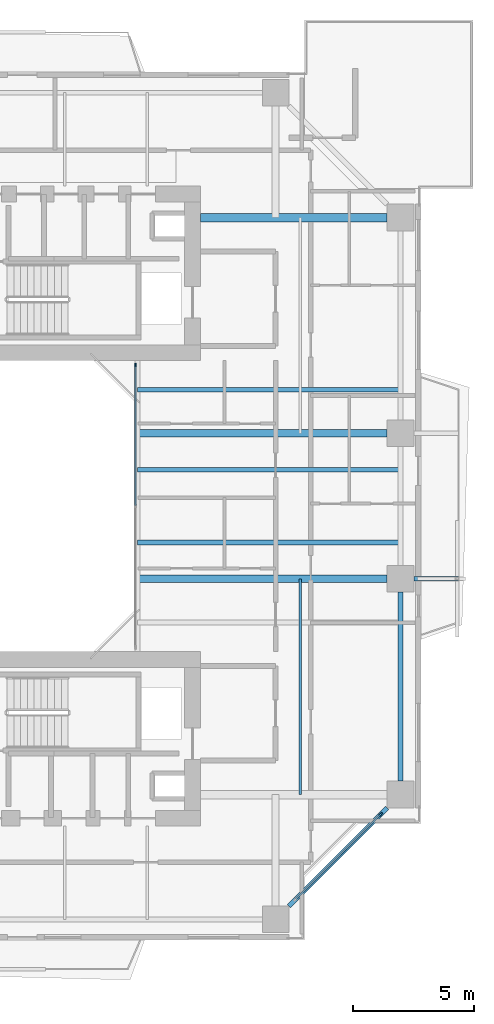
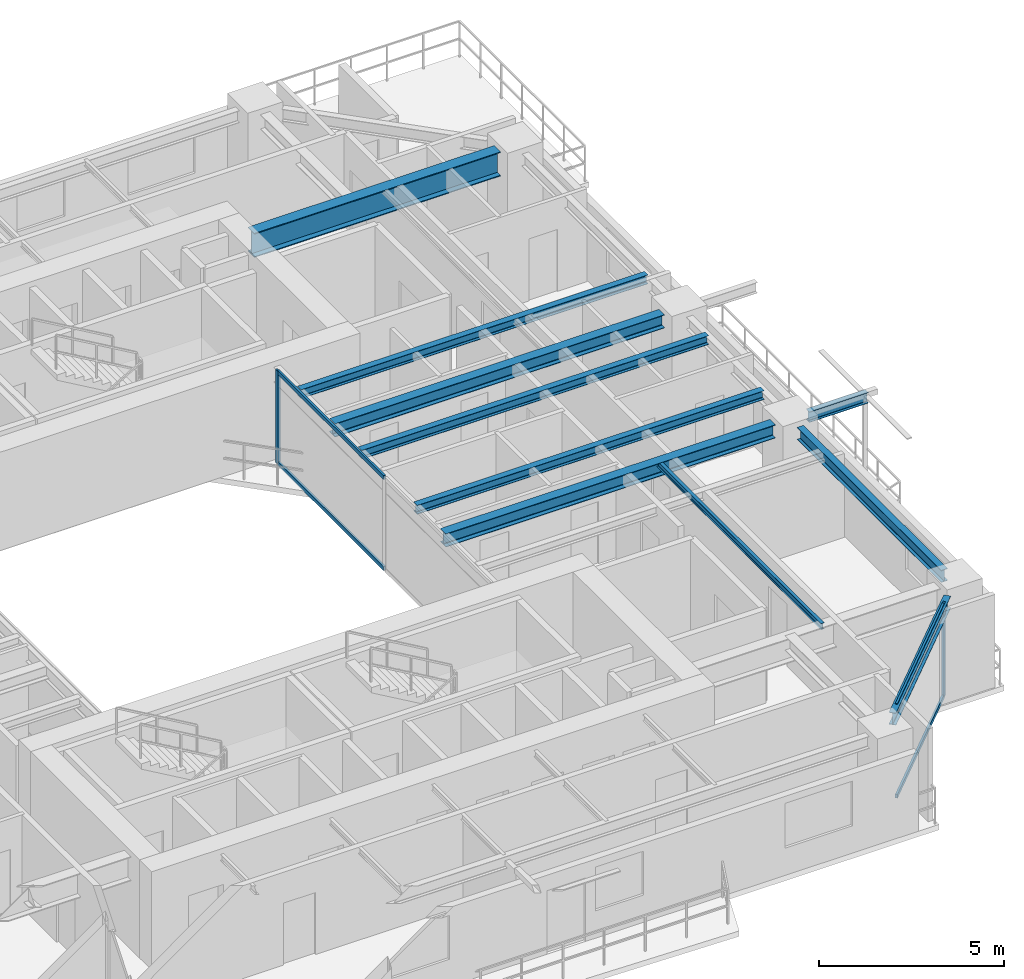
# One storey, part 6 of 17: 10 beams, 6 members, 2 elements without a shape of their own.
"""IFC4 building model written with IfcOpenShell, lengths in metres."""

from ifc_helpers import new_model, si_unit, direction, frame, origin, origin_2d, place, context, subcontext, project, spatial, rectangle, i_section, extrude, source, transform, mapped, material, layer, layer_set, material_profile, profile_set, type_object, element, aggregate, save


model = new_model("IFC4")

# Units and contexts
model_context = context("Model", 3, precision=1e-05, world=origin(), true_north=direction((0.0, 1.0)))
body_context = subcontext(model_context, "Body", "Model", "MODEL_VIEW")
ifc_project = project(units=[si_unit("LENGTHUNIT", "METRE"), si_unit("AREAUNIT", "SQUARE_METRE"), si_unit("VOLUMEUNIT", "CUBIC_METRE"), si_unit("PLANEANGLEUNIT", "RADIAN"), si_unit("MASSUNIT", "GRAM", prefix="KILO"), si_unit("THERMODYNAMICTEMPERATUREUNIT", "KELVIN"), si_unit("POWERUNIT", "WATT")], contexts=[model_context])

# Site, building, storey
site_placement = place(None, origin())
site = spatial("IfcSite", under=ifc_project, at=site_placement, CompositionType="ELEMENT")
building_placement = place(site_placement, origin())
building = spatial("IfcBuilding", under=site, at=building_placement, Name="Qiaomeng Ring Towers", CompositionType="ELEMENT")
storey_placement = place(building_placement, frame((0.0, 0.0, 123.0)))
storey = spatial("IfcBuildingStorey", under=building, at=storey_placement, Name="L35", CompositionType="ELEMENT", Elevation=123.0)

# Beams
ifc_material_1 = material(Name="Steel Q355B", Category="steel")
ifc_material_profile_1 = material_profile(ifc_material_1, i_section(OverallWidth=0.199951171875, OverallDepth=0.39990234375, WebThickness=0.008056640625, FlangeThickness=0.012939453125, FilletRadius=0.01611328125, at=origin_2d()), Name="HN 400x200x8x13")
ifc_profile_set_1 = profile_set([ifc_material_profile_1], Name="Steel Q355B")
beam_type_1 = type_object("IfcBeamType", Name="STR-BM-HN400", PredefinedType="SPANDREL", material=ifc_profile_set_1)
shared_shape_1 = source(origin(), body_context, "Body", "SweptSolid", [
    extrude(i_section(OverallWidth=0.199951171875, OverallDepth=0.39990234375, WebThickness=0.008056640625, FlangeThickness=0.012939453125, FilletRadius=0.01611328125, at=origin_2d()), origin(), (0.0, 0.0, 1.0), 5.729736328125),
])
beam_1_placement = place(storey_placement, frame((31.44921875, 6.499267578125, 2.8701171875), z_axis=(0.707106781187, 0.707106781187, 0.0), x_axis=(-0.707106781187, 0.707106781187, 0.0)))
element("IfcBeam", 1, at=beam_1_placement, inside=storey, type_object=beam_type_1, Name="L35 beam STR-SP-L35-T1-S2-E1", PredefinedType="SPANDREL", context=body_context, shape_type="MappedRepresentation", body=[
    mapped(shared_shape_1, transform((0.0, 0.0, 0.0), x_axis=(1.0, 0.0, 0.0), y_axis=(0.0, 1.0, 0.0), z_axis=(0.0, 0.0, 1.0), scale=1.0)),
])
shared_shape_2 = source(origin(), body_context, "Body", "SweptSolid", [
    extrude(i_section(OverallWidth=0.199951171875, OverallDepth=0.39990234375, WebThickness=0.008056640625, FlangeThickness=0.012939453125, FilletRadius=0.01611328125, at=origin_2d()), origin(), (0.0, 0.0, 1.0), 7.802001953125),
])
beam_2_placement = place(storey_placement, frame((36.050048828125, 11.64892578125, 2.8701171875), z_axis=(0.0, 1.0, 0.0), x_axis=(-1.0, 0.0, 0.0)))
element("IfcBeam", 2, at=beam_2_placement, inside=storey, type_object=beam_type_1, Name="L35 beam STR-SP-L35-T1-E1-E2", PredefinedType="SPANDREL", context=body_context, shape_type="MappedRepresentation", body=[
    mapped(shared_shape_2, transform((0.0, 0.0, 0.0), x_axis=(1.0, 0.0, 0.0), y_axis=(0.0, 1.0, 0.0), z_axis=(0.0, 0.0, 1.0), scale=1.0)),
])
ifc_material_2 = material(Name="Steel Q390GJC", Category="steel")
ifc_material_profile_2 = material_profile(ifc_material_2, i_section(OverallWidth=0.35009765625, OverallDepth=0.800048828125, WebThickness=0.01611328125, FlangeThickness=0.028076171875, at=origin_2d()), Name="WH 800x350x16x28")
ifc_profile_set_2 = profile_set([ifc_material_profile_2], Name="Steel Q390GJC")
beam_type_2 = type_object("IfcBeamType", Name="STR-BM-WH800", PredefinedType="BEAM", material=ifc_profile_set_2)
shared_shape_3 = source(origin(), body_context, "Body", "SweptSolid", [
    extrude(i_section(OverallWidth=0.35009765625, OverallDepth=0.800048828125, WebThickness=0.01611328125, FlangeThickness=0.028076171875, at=origin_2d()), origin(), (0.0, 0.0, 1.0), 7.700927734375),
])
beam_3_placement = place(storey_placement, frame((27.800048828125, 34.89990234375, 2.669921875), z_axis=(1.0, 0.0, 0.0), x_axis=(0.0, 1.0, 0.0)))
element("IfcBeam", 3, at=beam_3_placement, inside=storey, type_object=beam_type_2, Name="L35 beam STR-BM-L35-T1-RAD-E4", PredefinedType="BEAM", context=body_context, shape_type="MappedRepresentation", body=[
    mapped(shared_shape_3, transform((0.0, 0.0, 0.0), x_axis=(1.0, 0.0, 0.0), y_axis=(0.0, 1.0, 0.0), z_axis=(0.0, 0.0, 1.0), scale=1.0)),
])
ifc_material_profile_3 = material_profile(ifc_material_1, i_section(OverallWidth=0.300048828125, OverallDepth=0.43994140625, WebThickness=0.010986328125, FlangeThickness=0.01806640625, FilletRadius=0.02392578125, at=origin_2d()), Name="HM 440x300x11x18")
ifc_profile_set_3 = profile_set([ifc_material_profile_3], Name="Steel Q355B")
beam_type_3 = type_object("IfcBeamType", Name="STR-BM-HM440", PredefinedType="BEAM", material=ifc_profile_set_3)
shared_shape_4 = source(origin(), body_context, "Body", "SweptSolid", [
    extrude(i_section(OverallWidth=0.300048828125, OverallDepth=0.43994140625, WebThickness=0.010986328125, FlangeThickness=0.01806640625, FilletRadius=0.02392578125, at=origin_2d()), origin(), (0.0, 0.0, 1.0), 10.301025390625),
])
for number, where, z_axis, x_axis, name in (
    (4, (25.199951171875, 20.0, 2.85009765625), (1.0, 0.0, 0.0), (0.0, 1.0, 0.0), "L35 beam STR-BM-L35-T1-RAD-E2"),
    (5, (25.199951171875, 26.0, 2.85009765625), (1.0, 0.0, 0.0), (0.0, 1.0, 0.0), "L35 beam STR-BM-L35-T1-RAD-E3"),
):
    element("IfcBeam", number, at=place(storey_placement, frame(where, z_axis=z_axis, x_axis=x_axis)), inside=storey, type_object=beam_type_3, Name=name, PredefinedType="BEAM", context=body_context, shape_type="MappedRepresentation", body=[
        mapped(shared_shape_4, transform((0.0, 0.0, 0.0), x_axis=(1.0, 0.0, 0.0), y_axis=(0.0, 1.0, 0.0), z_axis=(0.0, 0.0, 1.0), scale=1.0)),
    ])
ifc_material_profile_4 = material_profile(ifc_material_1, i_section(OverallWidth=0.175048828125, OverallDepth=0.35009765625, WebThickness=0.007080078125, FlangeThickness=0.010986328125, FilletRadius=0.013916015625, at=origin_2d()), Name="HN 350x175x7x11")
ifc_profile_set_4 = profile_set([ifc_material_profile_4], Name="Steel Q355B")
beam_type_4 = type_object("IfcBeamType", Name="STR-BM-HN350", PredefinedType="JOIST", material=ifc_profile_set_4)
shared_shape_5 = source(origin(), body_context, "Body", "SweptSolid", [
    extrude(i_section(OverallWidth=0.175048828125, OverallDepth=0.35009765625, WebThickness=0.007080078125, FlangeThickness=0.010986328125, FilletRadius=0.013916015625, at=origin_2d()), origin(), (0.0, 0.0, 1.0), 1.8408203125),
])
beam_4_placement = place(storey_placement, frame((36.59912109375, 20.0, 2.89501953125), z_axis=(1.0, 0.0, 0.0), x_axis=(0.0, 1.0, 0.0)))
element("IfcBeam", 6, at=beam_4_placement, inside=storey, type_object=beam_type_4, Name="L35 beam STR-BALBM-L35-E2", PredefinedType="JOIST", context=body_context, shape_type="MappedRepresentation", body=[
    mapped(shared_shape_5, transform((0.0, 0.0, 0.0), x_axis=(1.0, 0.0, 0.0), y_axis=(0.0, 1.0, 0.0), z_axis=(0.0, 0.0, 1.0), scale=1.0)),
])
ifc_material_profile_5 = material_profile(ifc_material_1, i_section(OverallWidth=0.199951171875, OverallDepth=0.2939453125, WebThickness=0.008056640625, FlangeThickness=0.011962890625, FilletRadius=0.01806640625, at=origin_2d()), Name="HM 294x200x8x12")
ifc_profile_set_5 = profile_set([ifc_material_profile_5], Name="Steel Q355B")
beam_type_5 = type_object("IfcBeamType", Name="STR-BM-HM294", PredefinedType="JOIST", material=ifc_profile_set_5)
shared_shape_6 = source(origin(), body_context, "Body", "SweptSolid", [
    extrude(i_section(OverallWidth=0.199951171875, OverallDepth=0.2939453125, WebThickness=0.008056640625, FlangeThickness=0.011962890625, FilletRadius=0.01806640625, at=origin_2d()), origin(), (0.0, 0.0, 1.0), 10.85009765625),
])
for number, where, z_axis, x_axis, name in (
    (7, (25.199951171875, 21.5, 2.923095703125), (1.0, 0.0, 0.0), (0.0, 1.0, 0.0), "L35 beam STR-JST-L35-T1E-2"),
    (8, (25.199951171875, 24.5, 2.923095703125), (1.0, 0.0, 0.0), (0.0, 1.0, 0.0), "L35 beam STR-JST-L35-T1E-3"),
    (9, (25.199951171875, 27.800048828125, 2.923095703125), (1.0, 0.0, 0.0), (0.0, 1.0, 0.0), "L35 beam STR-JST-L35-T1E-4"),
):
    element("IfcBeam", number, at=place(storey_placement, frame(where, z_axis=z_axis, x_axis=x_axis)), inside=storey, type_object=beam_type_5, Name=name, PredefinedType="JOIST", context=body_context, shape_type="MappedRepresentation", body=[
        mapped(shared_shape_6, transform((0.0, 0.0, 0.0), x_axis=(1.0, 0.0, 0.0), y_axis=(0.0, 1.0, 0.0), z_axis=(0.0, 0.0, 1.0), scale=1.0)),
    ])
ifc_material_profile_6 = material_profile(ifc_material_1, i_section(OverallWidth=0.10009765625, OverallDepth=0.199951171875, WebThickness=0.005615234375, FlangeThickness=0.008056640625, FilletRadius=0.010986328125, at=origin_2d()), Name="HN 200x100x5.5x8")
ifc_profile_set_6 = profile_set([ifc_material_profile_6], Name="Steel Q355B")
beam_type_6 = type_object("IfcBeamType", Name="STR-BM-HN200", PredefinedType="JOIST", material=ifc_profile_set_6)
shared_shape_7 = source(origin(), body_context, "Body", "SweptSolid", [
    extrude(i_section(OverallWidth=0.10009765625, OverallDepth=0.199951171875, WebThickness=0.005615234375, FlangeThickness=0.008056640625, FilletRadius=0.010986328125, at=origin_2d()), origin(), (0.0, 0.0, 1.0), 8.89990234375),
])
beam_5_placement = place(storey_placement, frame((31.925048828125, 11.10009765625, 2.969970703125), z_axis=(0.0, 1.0, 0.0), x_axis=(-1.0, 0.0, 0.0)))
element("IfcBeam", 10, at=beam_5_placement, inside=storey, type_object=beam_type_6, Name="L35 beam STR-JST-L35-T1C-ES", PredefinedType="JOIST", context=body_context, shape_type="MappedRepresentation", body=[
    mapped(shared_shape_7, transform((0.0, 0.0, 0.0), x_axis=(1.0, 0.0, 0.0), y_axis=(0.0, 1.0, 0.0), z_axis=(0.0, 0.0, 1.0), scale=1.0)),
])

# Curtain wall, members
ifc_material_3 = material(Name="Fluorocarbon dark-grey aluminium", Category="aluminium")
ifc_layer_1 = layer(ifc_material_3, 0.139892578125, Name="Fluorocarbon dark-grey aluminium")
ifc_layer_set_1 = layer_set([ifc_layer_1], Name="Fluorocarbon dark-grey aluminium")
curtain_wall_type_1 = type_object("IfcCurtainWallType", Name="ARC-CW-4", PredefinedType="NOTDEFINED", material=ifc_layer_set_1)
curtain_wall_1_placement = place(storey_placement, origin())
curtain_wall_1 = element("IfcCurtainWall", 11, at=curtain_wall_1_placement, inside=storey, type_object=curtain_wall_type_1, Name="L35 Curtain Wall CW4", PredefinedType="NOTDEFINED")
ifc_material_profile_7 = material_profile(ifc_material_3, rectangle(XDim=0.06494140625, YDim=0.159912109375, at=origin_2d()), Name="ALU MULL 65x160")
ifc_profile_set_7 = profile_set([ifc_material_profile_7], Name="Fluorocarbon dark-grey aluminium")
member_type_1 = type_object("IfcMemberType", Name="ARC-CWM-140", PredefinedType="MULLION", material=ifc_profile_set_7)
shared_shape_8 = source(origin(), body_context, "Body", "SweptSolid", [
    extrude(rectangle(XDim=0.06494140625, YDim=0.159912109375, at=origin_2d()), origin(), (0.0, 0.0, 1.0), 3.070068359375),
])
member_1_placement = place(storey_placement, frame((25.1201171875, 28.8173828125, 0.0), z_axis=(0.0, 0.0, 1.0), x_axis=(-1.0, 0.0, 0.0)))
member_1 = element("IfcMember", 12, at=member_1_placement, type_object=member_type_1, Name="CW4 mullion 3", PredefinedType="MULLION", context=body_context, shape_type="MappedRepresentation", body=[
    mapped(shared_shape_8, transform((0.0, 0.0, 0.0), x_axis=(1.0, 0.0, 0.0), y_axis=(0.0, 1.0, 0.0), z_axis=(0.0, 0.0, 1.0), scale=1.0)),
])
ifc_material_profile_8 = material_profile(ifc_material_3, rectangle(XDim=0.06494140625, YDim=0.1298828125, at=origin_2d()), Name="ALU TRAN 65x130")
ifc_profile_set_8 = profile_set([ifc_material_profile_8], Name="Fluorocarbon dark-grey aluminium")
member_type_2 = type_object("IfcMemberType", Name="ARC-CWT-120", PredefinedType="USERDEFINED", material=ifc_profile_set_8)
shared_shape_9 = source(origin(), body_context, "Body", "SweptSolid", [
    extrude(rectangle(XDim=0.06494140625, YDim=0.1298828125, at=origin_2d()), origin(), (0.0, 0.0, 1.0), 5.75244140625),
])
member_2_placement = place(storey_placement, frame((25.1201171875, 23.032470703125, 0.032470703125), z_axis=(0.0, 1.0, 0.0), x_axis=(-1.0, 0.0, 0.0)))
member_2 = element("IfcMember", 13, at=member_2_placement, type_object=member_type_2, Name="CW4 transom 2.1", ObjectType="TRANSOM", PredefinedType="USERDEFINED", context=body_context, shape_type="MappedRepresentation", body=[
    mapped(shared_shape_9, transform((0.0, 0.0, 0.0), x_axis=(1.0, 0.0, 0.0), y_axis=(0.0, 1.0, 0.0), z_axis=(0.0, 0.0, 1.0), scale=1.0)),
])
member_3_placement = place(storey_placement, frame((25.1201171875, 23.032470703125, 3.03759765625), z_axis=(0.0, 1.0, 0.0), x_axis=(-1.0, 0.0, 0.0)))
member_3 = element("IfcMember", 14, at=member_3_placement, type_object=member_type_2, Name="CW4 transom 2.2", ObjectType="TRANSOM", PredefinedType="USERDEFINED", context=body_context, shape_type="MappedRepresentation", body=[
    mapped(shared_shape_9, transform((0.0, 0.0, 0.0), x_axis=(1.0, 0.0, 0.0), y_axis=(0.0, 1.0, 0.0), z_axis=(0.0, 0.0, 1.0), scale=1.0)),
])
aggregate(curtain_wall_1, [member_1, member_2, member_3])

ifc_layer_2 = layer(ifc_material_3, 0.14990234375, Name="Fluorocarbon dark-grey aluminium")
ifc_layer_set_2 = layer_set([ifc_layer_2], Name="Fluorocarbon dark-grey aluminium")
curtain_wall_type_2 = type_object("IfcCurtainWallType", Name="ARC-CW-3", PredefinedType="NOTDEFINED", material=ifc_layer_set_2)
curtain_wall_2_placement = place(storey_placement, origin())
curtain_wall_2 = element("IfcCurtainWall", 15, at=curtain_wall_2_placement, inside=storey, type_object=curtain_wall_type_2, Name="L35 Curtain Wall CW3", PredefinedType="NOTDEFINED")
ifc_material_profile_9 = material_profile(ifc_material_3, rectangle(XDim=0.070068359375, YDim=0.179931640625, at=origin_2d()), Name="ALU MULL 70x180")
ifc_profile_set_9 = profile_set([ifc_material_profile_9], Name="Fluorocarbon dark-grey aluminium")
member_type_3 = type_object("IfcMemberType", Name="ARC-CWM-160", PredefinedType="MULLION", material=ifc_profile_set_9)
shared_shape_10 = source(origin(), body_context, "Body", "SweptSolid", [
    extrude(rectangle(XDim=0.070068359375, YDim=0.179931640625, at=origin_2d()), origin(), (0.0, 0.0, 1.0), 3.070068359375),
])
member_4_placement = place(storey_placement, frame((35.2353515625, 10.28515625, 0.0), z_axis=(0.0, 0.0, 1.0), x_axis=(-0.707106781187, 0.707106781187, 0.0)))
member_4 = element("IfcMember", 16, at=member_4_placement, type_object=member_type_3, Name="CW3 mullion 2", PredefinedType="MULLION", context=body_context, shape_type="MappedRepresentation", body=[
    mapped(shared_shape_10, transform((0.0, 0.0, 0.0), x_axis=(1.0, 0.0, 0.0), y_axis=(0.0, 1.0, 0.0), z_axis=(0.0, 0.0, 1.0), scale=1.0)),
])
shared_shape_11 = source(origin(), body_context, "Body", "SweptSolid", [
    extrude(rectangle(XDim=0.06494140625, YDim=0.1298828125, at=origin_2d()), origin(), (0.0, 0.0, 1.0), 4.90869140625),
])
member_5_placement = place(storey_placement, frame((31.739501953125, 6.78955078125, 0.032470703125), z_axis=(0.707106781187, 0.707106781187, 0.0), x_axis=(-0.707106781187, 0.707106781187, 0.0)))
member_5 = element("IfcMember", 17, at=member_5_placement, type_object=member_type_2, Name="CW3 transom 1.1", ObjectType="TRANSOM", PredefinedType="USERDEFINED", context=body_context, shape_type="MappedRepresentation", body=[
    mapped(shared_shape_11, transform((0.0, 0.0, 0.0), x_axis=(1.0, 0.0, 0.0), y_axis=(0.0, 1.0, 0.0), z_axis=(0.0, 0.0, 1.0), scale=1.0)),
])
member_6_placement = place(storey_placement, frame((31.739501953125, 6.78955078125, 3.03759765625), z_axis=(0.707106781187, 0.707106781187, 0.0), x_axis=(-0.707106781187, 0.707106781187, 0.0)))
member_6 = element("IfcMember", 18, at=member_6_placement, type_object=member_type_2, Name="CW3 transom 1.2", ObjectType="TRANSOM", PredefinedType="USERDEFINED", context=body_context, shape_type="MappedRepresentation", body=[
    mapped(shared_shape_11, transform((0.0, 0.0, 0.0), x_axis=(1.0, 0.0, 0.0), y_axis=(0.0, 1.0, 0.0), z_axis=(0.0, 0.0, 1.0), scale=1.0)),
])
aggregate(curtain_wall_2, [member_4, member_5, member_6])

save(model, "model.ifc")
